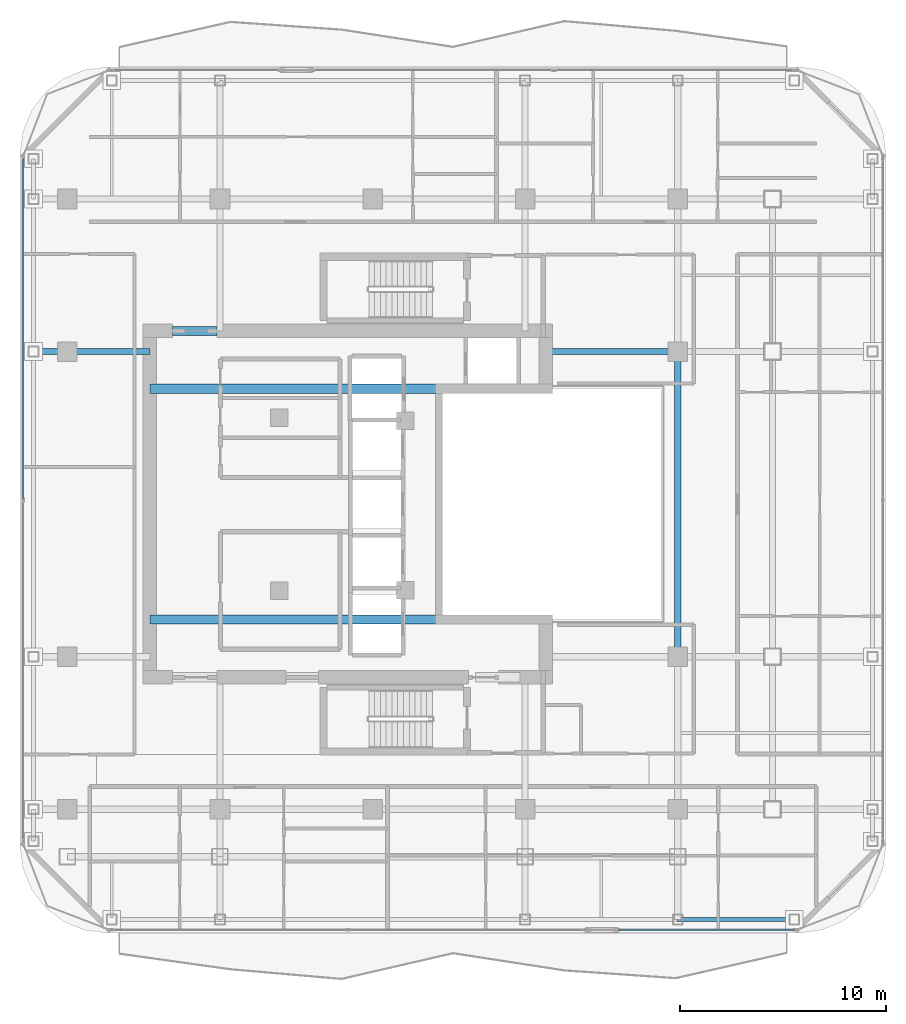
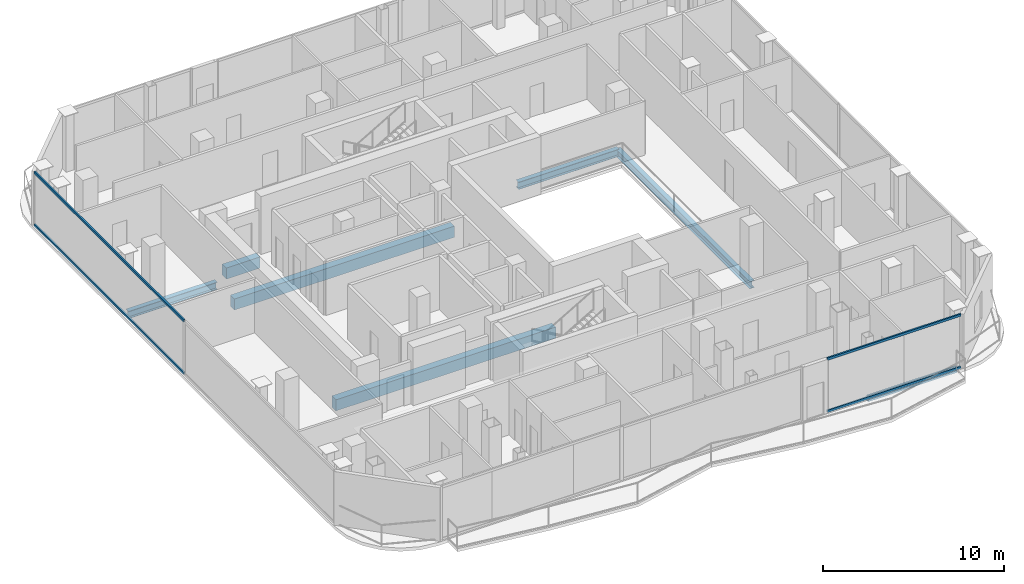
# One storey, part 6 of 22: 7 beams, 4 members, 2 elements without a shape of their own.
"""IFC4 building model written with IfcOpenShell, lengths in metres."""

from ifc_helpers import new_model, si_unit, direction, frame, origin, origin_2d, place, context, subcontext, project, spatial, rectangle, hollow_rectangle, i_section, extrude, material, layer, layer_set, material_profile, profile_set, type_object, element, aggregate, save


model = new_model("IFC4")

# Units and contexts
model_context = context("Model", 3, precision=1e-05, world=origin(), true_north=direction((0.0, 1.0)))
body_context = subcontext(model_context, "Body", "Model", "MODEL_VIEW")
ifc_project = project(units=[si_unit("LENGTHUNIT", "METRE"), si_unit("AREAUNIT", "SQUARE_METRE"), si_unit("VOLUMEUNIT", "CUBIC_METRE"), si_unit("PLANEANGLEUNIT", "RADIAN"), si_unit("MASSUNIT", "GRAM", prefix="KILO")], contexts=[model_context])

# Site, building, storey
site_placement = place(None, origin())
site = spatial("IfcSite", under=ifc_project, at=site_placement, CompositionType="ELEMENT")
building_placement = place(site_placement, origin())
building = spatial("IfcBuilding", under=site, at=building_placement, Name="Khorvyn Point Tower", CompositionType="ELEMENT")
storey_placement = place(building_placement, frame((0.0, 0.0, 282.0)))
storey = spatial("IfcBuildingStorey", under=building, at=storey_placement, Name="L69", CompositionType="ELEMENT", Elevation=282.0)

# Curtain wall, members
ifc_material_1 = material(Name="Anodised aluminium 6063-T6 and laminated Low-E glass", Category="aluminium")
ifc_layer = layer(ifc_material_1, 0.18994140625)
ifc_layer_set = layer_set([ifc_layer], Name="Stick-Built High-Wind Curtain Wall CW-SYS-04")
curtain_wall_type = type_object("IfcCurtainWallType", Name="Stick-Built High-Wind Curtain Wall CW-SYS-04", PredefinedType="NOTDEFINED", material=ifc_layer_set)
curtain_wall_1_placement = place(storey_placement, origin())
curtain_wall_1 = element("IfcCurtainWall", 1, at=curtain_wall_1_placement, inside=storey, type_object=curtain_wall_type, Name="Curtain Wall", PredefinedType="NOTDEFINED")
ifc_material_2 = material(Name="Anodised aluminium 6063-T6", Category="aluminium")
ifc_material_profile_1 = material_profile(ifc_material_2, hollow_rectangle(XDim=0.10009765625, YDim=0.159912109375, WallThickness=0.00439453125, at=origin_2d()))
ifc_profile_set_1 = profile_set([ifc_material_profile_1], Name="Anodised aluminium 6063-T6 ALU-TRN-100x160")
member_type = type_object("IfcMemberType", Name="Anodised Aluminium 6063-T6 Transom ALU-TRN-100x160", PredefinedType="USERDEFINED", material=ifc_profile_set_1)
member_1_placement = place(storey_placement, frame((20.449951171875, -20.64990234375, 0.050048828125), z_axis=(-1.0, 0.0, 0.0), x_axis=(0.0, -1.0, 0.0)))
member_1 = element("IfcMember", 2, at=member_1_placement, type_object=member_type, Name="Transom", ObjectType="TRANSOM", PredefinedType="USERDEFINED", context=body_context, shape_type="SweptSolid", body=[
    extrude(hollow_rectangle(XDim=0.10009765625, YDim=0.159912109375, WallThickness=0.00439453125, at=origin_2d()), origin(), (0.0, 0.0, 1.0), 8.505859375),
])
member_2_placement = place(storey_placement, frame((20.449951171875, -20.64990234375, 3.570068359375), z_axis=(-1.0, 0.0, 0.0), x_axis=(0.0, -1.0, 0.0)))
member_2 = element("IfcMember", 3, at=member_2_placement, type_object=member_type, Name="Transom", ObjectType="TRANSOM", PredefinedType="USERDEFINED", context=body_context, shape_type="SweptSolid", body=[
    extrude(hollow_rectangle(XDim=0.10009765625, YDim=0.159912109375, WallThickness=0.00439453125, at=origin_2d()), origin(), (0.0, 0.0, 1.0), 8.505859375),
])
aggregate(curtain_wall_1, [member_1, member_2])

curtain_wall_2_placement = place(storey_placement, origin())
curtain_wall_2 = element("IfcCurtainWall", 4, at=curtain_wall_2_placement, inside=storey, type_object=curtain_wall_type, Name="Curtain Wall", PredefinedType="NOTDEFINED")
member_3_placement = place(storey_placement, frame((-16.949951171875, 0.25, 0.050048828125), z_axis=(0.0, 1.0, 0.0), x_axis=(-1.0, 0.0, 0.0)))
member_3 = element("IfcMember", 5, at=member_3_placement, type_object=member_type, Name="Transom", ObjectType="TRANSOM", PredefinedType="USERDEFINED", context=body_context, shape_type="SweptSolid", body=[
    extrude(hollow_rectangle(XDim=0.10009765625, YDim=0.159912109375, WallThickness=0.00439453125, at=origin_2d()), origin(), (0.0, 0.0, 1.0), 16.5),
])
member_4_placement = place(storey_placement, frame((-16.949951171875, 0.25, 3.570068359375), z_axis=(0.0, 1.0, 0.0), x_axis=(-1.0, 0.0, 0.0)))
member_4 = element("IfcMember", 6, at=member_4_placement, type_object=member_type, Name="Transom", ObjectType="TRANSOM", PredefinedType="USERDEFINED", context=body_context, shape_type="SweptSolid", body=[
    extrude(hollow_rectangle(XDim=0.10009765625, YDim=0.159912109375, WallThickness=0.00439453125, at=origin_2d()), origin(), (0.0, 0.0, 1.0), 16.5),
])
aggregate(curtain_wall_2, [member_3, member_4])

# Beams
ifc_material_3 = material(Name="Concrete C40/50", Category="concrete")
ifc_material_profile_2 = material_profile(ifc_material_3, rectangle(XDim=0.449951171875, YDim=0.75, at=origin_2d()))
ifc_profile_set_2 = profile_set([ifc_material_profile_2], Name="Concrete C40/50 RC450x750")
beam_type_1 = type_object("IfcBeamType", Name="Concrete C40/50 Beam RC450x750", PredefinedType="BEAM", material=ifc_profile_set_2)
for number, where, z_axis, x_axis, name in (
    (7, (-10.800048828125, -5.60009765625, -0.594970703125), (1.0, 0.0, 0.0), (0.0, 1.0, 0.0), "L69 Core Internal Tie Girder S"),
    (8, (-10.800048828125, 5.60009765625, -0.594970703125), (1.0, 0.0, 0.0), (0.0, 1.0, 0.0), "L69 Core Internal Tie Girder N"),
):
    element("IfcBeam", number, at=place(storey_placement, frame(where, z_axis=z_axis, x_axis=x_axis)), inside=storey, type_object=beam_type_1, Name=name, PredefinedType="BEAM", context=body_context, shape_type="SweptSolid", body=[
        extrude(rectangle(XDim=0.449951171875, YDim=0.75, at=origin_2d()), origin(), (0.0, 0.0, 1.0), 14.02001953125),
    ])
beam_1_placement = place(storey_placement, frame((-9.699951171875, 8.39990234375, -0.594970703125), z_axis=(1.0, 0.0, 0.0), x_axis=(0.0, 1.0, 0.0)))
element("IfcBeam", 9, at=beam_1_placement, inside=storey, type_object=beam_type_1, Name="L69 Core Northwest Portal Coupling Beam", PredefinedType="BEAM", context=body_context, shape_type="SweptSolid", body=[
    extrude(rectangle(XDim=0.449951171875, YDim=0.75, at=origin_2d()), origin(), (0.0, 0.0, 1.0), 2.14990234375),
])
ifc_material_4 = material(Name="Steel S355", Category="steel")
ifc_material_profile_3 = material_profile(ifc_material_4, i_section(OverallWidth=0.300048828125, OverallDepth=0.488037109375, WebThickness=0.010986328125, FlangeThickness=0.01806640625, at=origin_2d()))
ifc_profile_set_3 = profile_set([ifc_material_profile_3], Name="Steel S355 H488x300x11x18")
beam_type_2 = type_object("IfcBeamType", Name="Steel S355 Spandrel H488x300x11x18", PredefinedType="SPANDREL", material=ifc_profile_set_3)
beam_2_placement = place(storey_placement, frame((-16.449951171875, 7.39990234375, -0.464111328125), z_axis=(1.0, 0.0, 0.0), x_axis=(0.0, 1.0, 0.0)))
element("IfcBeam", 10, at=beam_2_placement, inside=storey, type_object=beam_type_2, Name="Beam", PredefinedType="SPANDREL", context=body_context, shape_type="SweptSolid", body=[
    extrude(i_section(OverallWidth=0.300048828125, OverallDepth=0.488037109375, WebThickness=0.010986328125, FlangeThickness=0.01806640625, at=origin_2d()), origin(), (0.0, 0.0, 1.0), 5.64990234375),
])
beam_3_placement = place(storey_placement, frame((8.39990234375, 7.39990234375, -0.464111328125), z_axis=(1.0, 0.0, 0.0), x_axis=(0.0, 1.0, 0.0)))
element("IfcBeam", 11, at=beam_3_placement, inside=storey, type_object=beam_type_2, Name="Beam", PredefinedType="SPANDREL", context=body_context, shape_type="SweptSolid", body=[
    extrude(i_section(OverallWidth=0.300048828125, OverallDepth=0.488037109375, WebThickness=0.010986328125, FlangeThickness=0.01806640625, at=origin_2d()), origin(), (0.0, 0.0, 1.0), 6.400146484375),
])
beam_4_placement = place(storey_placement, frame((14.800048828125, -7.39990234375, -0.464111328125), z_axis=(0.0, 1.0, 0.0), x_axis=(-1.0, 0.0, 0.0)))
element("IfcBeam", 12, at=beam_4_placement, inside=storey, type_object=beam_type_2, Name="Beam", PredefinedType="SPANDREL", context=body_context, shape_type="SweptSolid", body=[
    extrude(i_section(OverallWidth=0.300048828125, OverallDepth=0.488037109375, WebThickness=0.010986328125, FlangeThickness=0.01806640625, at=origin_2d()), origin(), (0.0, 0.0, 1.0), 14.7998046875),
])
ifc_material_profile_4 = material_profile(ifc_material_4, hollow_rectangle(XDim=0.199951171875, YDim=0.35009765625, WallThickness=0.013916015625, at=origin_2d()))
ifc_profile_set_4 = profile_set([ifc_material_profile_4], Name="Steel S355 RHS350x200x14")
beam_type_3 = type_object("IfcBeamType", Name="Steel S355 Spandrel RHS350x200x14", PredefinedType="SPANDREL", material=ifc_profile_set_4)
beam_5_placement = place(storey_placement, frame((14.800048828125, -20.14990234375, -0.39501953125), z_axis=(1.0, 0.0, 0.0), x_axis=(0.0, 1.0, 0.0)))
element("IfcBeam", 13, at=beam_5_placement, inside=storey, type_object=beam_type_3, Name="Beam", PredefinedType="SPANDREL", context=body_context, shape_type="SweptSolid", body=[
    extrude(hollow_rectangle(XDim=0.199951171875, YDim=0.35009765625, WallThickness=0.013916015625, at=origin_2d()), origin(), (0.0, 0.0, 1.0), 5.64990234375),
])

save(model, "model.ifc")
